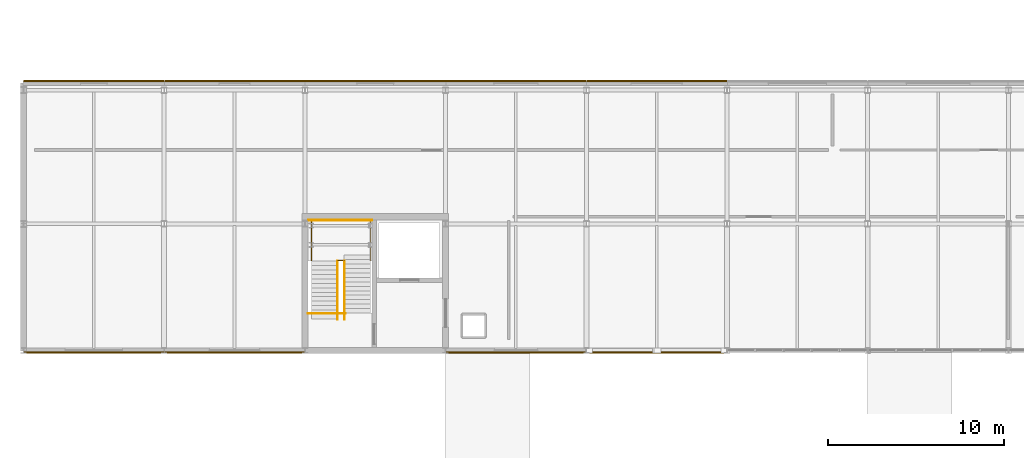
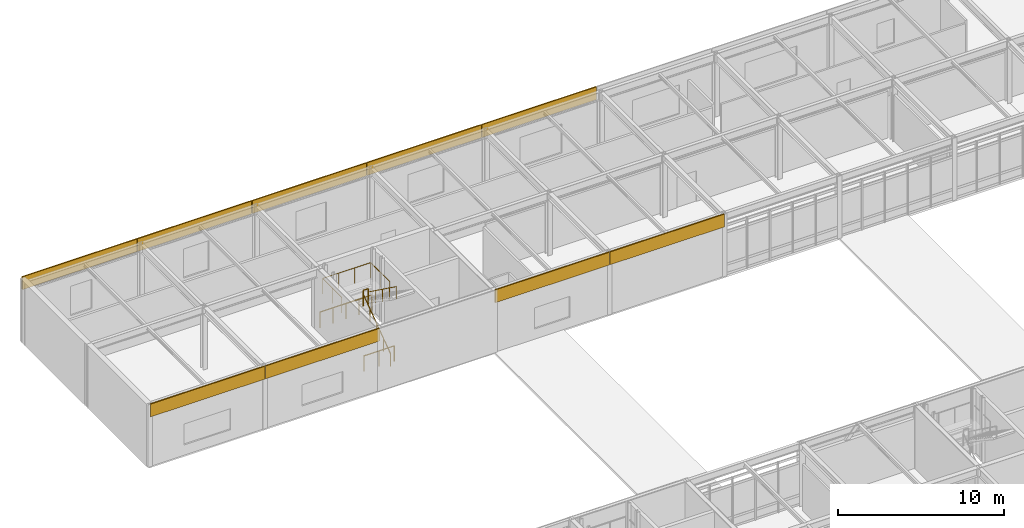
# One storey, part 96 of 100: 9 coverings, 6 railings.
"""IFC4 building model written with IfcOpenShell, lengths in metres."""

from ifc_helpers import new_model, si_unit, direction, frame, origin, origin_2d, place, context, subcontext, project, spatial, rectangle, circle, extrude, material, layer, layer_set, type_object, element, save


model = new_model("IFC4")

# Units and contexts
model_context = context("Model", 3, precision=1e-05, world=origin(), true_north=direction((0.0, 1.0)))
body_context = subcontext(model_context, "Body", "Model", "MODEL_VIEW")
ifc_project = project(units=[si_unit("LENGTHUNIT", "METRE"), si_unit("AREAUNIT", "SQUARE_METRE"), si_unit("VOLUMEUNIT", "CUBIC_METRE"), si_unit("PLANEANGLEUNIT", "RADIAN"), si_unit("MASSUNIT", "GRAM", prefix="KILO")], contexts=[model_context])

# Site, building, storey
site_placement = place(None, origin())
site = spatial("IfcSite", under=ifc_project, at=site_placement, CompositionType="ELEMENT")
building_placement = place(site_placement, origin())
building = spatial("IfcBuilding", under=site, at=building_placement, Name="Zulena Civic Courthouse", CompositionType="ELEMENT")
storey_placement = place(building_placement, frame((0.0, 0.0, 20.39990234375)))
storey = spatial("IfcBuildingStorey", under=building, at=storey_placement, Name="L04", CompositionType="ELEMENT", Elevation=20.39990234375)

# Railings
ifc_material_1 = material(Name="Brushed architectural steel ASTM A36", Category="steel")
railing_type_1 = type_object("IfcRailingType", Name="InteriorGuardrail_1150", PredefinedType="GUARDRAIL", material=ifc_material_1)
railing_1_placement = place(storey_placement, frame((20.199951171875, 53.409912109375, 0.0)))
element("IfcRailing", 1, at=railing_1_placement, inside=storey, type_object=railing_type_1, Name="gr:wellN:K5A:L03", PredefinedType="GUARDRAIL", context=body_context, shape_type="SweptSolid", body=[
    extrude(circle(Radius=0.02392578125, at=origin_2d()), frame((0.00390625, 0.0, 1.1259765625), z_axis=(1.0, 0.0, 0.0), x_axis=(0.0, 1.0, 0.0)), (0.0, 0.0, 1.0), 3.592041015625),
    extrude(circle(Radius=0.02099609375, at=origin_2d()), origin(), (0.0, 0.0, 1.0), 1.097900390625),
    extrude(circle(Radius=0.02099609375, at=origin_2d()), frame((0.89990234375, 0.0, 0.0)), (0.0, 0.0, 1.0), 1.097900390625),
    extrude(circle(Radius=0.02099609375, at=origin_2d()), frame((1.800048828125, 0.0, 0.0)), (0.0, 0.0, 1.0), 1.097900390625),
    extrude(circle(Radius=0.02099609375, at=origin_2d()), frame((2.7001953125, 0.0, 0.0)), (0.0, 0.0, 1.0), 1.097900390625),
    extrude(circle(Radius=0.02099609375, at=origin_2d()), frame((3.60009765625, 0.0, 0.0)), (0.0, 0.0, 1.0), 1.097900390625),
])
railing_2_placement = place(storey_placement, frame((20.179931640625, 48.10009765625, 0.0)))
element("IfcRailing", 2, at=railing_2_placement, inside=storey, type_object=railing_type_1, Name="gr:wells:K5A:L04", PredefinedType="GUARDRAIL", context=body_context, shape_type="SweptSolid", body=[
    extrude(circle(Radius=0.02392578125, at=origin_2d()), frame((0.00390625, 0.0, 1.1259765625), z_axis=(1.0, 0.0, 0.0), x_axis=(0.0, 1.0, 0.0)), (0.0, 0.0, 1.0), 2.112060546875),
    extrude(circle(Radius=0.02099609375, at=origin_2d()), origin(), (0.0, 0.0, 1.0), 1.097900390625),
    extrude(circle(Radius=0.02099609375, at=origin_2d()), frame((1.06005859375, 0.0, 0.0)), (0.0, 0.0, 1.0), 1.097900390625),
    extrude(circle(Radius=0.02099609375, at=origin_2d()), frame((2.1201171875, 0.0, 0.0)), (0.0, 0.0, 1.0), 1.097900390625),
])
railing_3_placement = place(storey_placement, frame((20.3798828125, 51.094482421875, 2.400146484375)))
element("IfcRailing", 3, at=railing_3_placement, inside=storey, type_object=railing_type_1, Name="gr:lnd:K5A:L04", PredefinedType="GUARDRAIL", context=body_context, shape_type="SweptSolid", body=[
    extrude(circle(Radius=0.02392578125, at=origin_2d()), frame((0.0, 0.00390625, 1.1259765625), z_axis=(0.0, 1.0, 0.0), x_axis=(-1.0, 0.0, 0.0)), (0.0, 0.0, 1.0), 2.3173828125),
    extrude(circle(Radius=0.02392578125, at=origin_2d()), frame((0.00390625, 2.325439453125, 1.1259765625), z_axis=(1.0, 0.0, 0.0), x_axis=(0.0, 1.0, 0.0)), (0.0, 0.0, 1.0), 3.33203125),
    extrude(circle(Radius=0.02392578125, at=origin_2d()), frame((3.340087890625, 2.321533203125, 1.1259765625), z_axis=(0.0, -1.0, 0.0), x_axis=(1.0, 0.0, 0.0)), (0.0, 0.0, 1.0), 2.3173828125),
    extrude(circle(Radius=0.02099609375, at=origin_2d()), origin(), (0.0, 0.0, 1.0), 1.097900390625),
    extrude(circle(Radius=0.02099609375, at=origin_2d()), frame((0.0, 1.16259765625, 0.0)), (0.0, 0.0, 1.0), 1.097900390625),
    extrude(circle(Radius=0.02099609375, at=origin_2d()), frame((0.0, 2.325439453125, 0.0)), (0.0, 0.0, 1.0), 1.097900390625),
    extrude(circle(Radius=0.02099609375, at=origin_2d()), frame((1.11328125, 2.325439453125, 0.0)), (0.0, 0.0, 1.0), 1.097900390625),
    extrude(circle(Radius=0.02099609375, at=origin_2d()), frame((2.226806640625, 2.325439453125, 0.0)), (0.0, 0.0, 1.0), 1.097900390625),
    extrude(circle(Radius=0.02099609375, at=origin_2d()), frame((3.340087890625, 2.325439453125, 0.0)), (0.0, 0.0, 1.0), 1.097900390625),
    extrude(circle(Radius=0.02099609375, at=origin_2d()), frame((3.340087890625, 1.16259765625, 0.0)), (0.0, 0.0, 1.0), 1.097900390625),
    extrude(circle(Radius=0.02099609375, at=origin_2d()), frame((3.340087890625, 0.0, 0.0)), (0.0, 0.0, 1.0), 1.097900390625),
])
railing_4_placement = place(storey_placement, frame((21.8798828125, 51.114990234375, 2.400146484375)))
element("IfcRailing", 4, at=railing_4_placement, inside=storey, type_object=railing_type_1, Name="gr:lndslot:K5A:L04", PredefinedType="GUARDRAIL", context=body_context, shape_type="SweptSolid", body=[
    extrude(circle(Radius=0.02392578125, at=origin_2d()), frame((0.00390625, 0.0, 1.1259765625), z_axis=(1.0, 0.0, 0.0), x_axis=(0.0, 1.0, 0.0)), (0.0, 0.0, 1.0), 0.33203125),
    extrude(circle(Radius=0.02099609375, at=origin_2d()), origin(), (0.0, 0.0, 1.0), 1.097900390625),
    extrude(circle(Radius=0.02099609375, at=origin_2d()), frame((0.340087890625, 0.0, 0.0)), (0.0, 0.0, 1.0), 1.097900390625),
])

# Coverings
ifc_material_2 = material(Name="White architectural precast concrete C40/50", Category="concrete")
ifc_layer = layer(ifc_material_2, 0.0849609375)
ifc_layer_set = layer_set([ifc_layer], Name="White architectural precast concrete C40/50")
covering_type = type_object("IfcCoveringType", Name="PrecastSpandrelCladding_85", PredefinedType="CLADDING", material=ifc_layer_set)
for number, where, z_axis, x_axis, name in (
    (5, (8.0, 61.320068359375, 3.66015625), (0.0, 0.0, 1.0), (1.0, 0.0, 0.0), "clad:sp:V5:L04:1:0"),
    (6, (16.0, 61.320068359375, 3.66015625), (0.0, 0.0, 1.0), (1.0, 0.0, 0.0), "clad:sp:V5:L04:1:1"),
    (7, (24.0, 61.320068359375, 3.66015625), (0.0, 0.0, 1.0), (1.0, 0.0, 0.0), "clad:sp:V5:L04:1:2"),
    (8, (32.0, 61.320068359375, 3.66015625), (0.0, 0.0, 1.0), (1.0, 0.0, 0.0), "clad:sp:V5:L04:1:3"),
    (9, (40.0, 61.320068359375, 3.66015625), (0.0, 0.0, 1.0), (1.0, 0.0, 0.0), "clad:sp:V5:L04:1:4"),
    (10, (40.0, 45.8798828125, 3.66015625), (0.0, 0.0, 1.0), (-1.0, 0.0, 0.0), "clad:sp:V5:L04:5:8"),
    (11, (32.0, 45.8798828125, 3.66015625), (0.0, 0.0, 1.0), (-1.0, 0.0, 0.0), "clad:sp:V5:L04:5:9"),
    (12, (16.0, 45.8798828125, 3.66015625), (0.0, 0.0, 1.0), (-1.0, 0.0, 0.0), "clad:sp:V5:L04:5:11"),
    (13, (8.0, 45.8798828125, 3.66015625), (0.0, 0.0, 1.0), (-1.0, 0.0, 0.0), "clad:sp:V5:L04:5:12"),
):
    element("IfcCovering", number, at=place(storey_placement, frame(where, z_axis=z_axis, x_axis=x_axis)), inside=storey, type_object=covering_type, Name=name, PredefinedType="CLADDING", context=body_context, shape_type="SweptSolid", body=[
        extrude(rectangle(XDim=7.9599609375, YDim=0.0849609375, at=origin_2d()), origin(), (0.0, 0.0, 1.0), 0.93994140625),
    ])

# Railings
railing_type_2 = type_object("IfcRailingType", Name="StairHandrail_920", PredefinedType="HANDRAIL", material=ifc_material_1)
railing_5_placement = place(storey_placement, frame((21.85009765625, 47.780029296875, 0.0)))
element("IfcRailing", 14, at=railing_5_placement, inside=storey, type_object=railing_type_2, Name="hr:K5A:L04:1", PredefinedType="HANDRAIL", context=body_context, shape_type="SweptSolid", body=[
    extrude(circle(Radius=0.02392578125, at=origin_2d()), frame((0.0, 0.003173828125, 0.898193359375), z_axis=(0.0, 0.809939189741, 0.586513860809), x_axis=(-1.0, 0.0, 0.0)), (0.0, 0.0, 1.0), 4.084228515625),
    extrude(circle(Radius=0.02099609375, at=origin_2d()), origin(), (0.0, 0.0, 1.0), 0.867919921875),
    extrude(circle(Radius=0.02099609375, at=origin_2d()), frame((0.0, 0.82861328125, 0.60009765625)), (0.0, 0.0, 1.0), 0.867919921875),
    extrude(circle(Radius=0.02099609375, at=origin_2d()), frame((0.0, 1.6572265625, 1.2001953125)), (0.0, 0.0, 1.0), 0.867919921875),
    extrude(circle(Radius=0.02099609375, at=origin_2d()), frame((0.0, 2.48583984375, 1.800048828125)), (0.0, 0.0, 1.0), 0.867919921875),
    extrude(circle(Radius=0.02099609375, at=origin_2d()), frame((0.0, 3.314453125, 2.400146484375)), (0.0, 0.0, 1.0), 0.867919921875),
])
railing_6_placement = place(storey_placement, frame((22.25, 51.094482421875, 2.400146484375)))
element("IfcRailing", 15, at=railing_6_placement, inside=storey, type_object=railing_type_2, Name="hr:K5A:L04:2", PredefinedType="HANDRAIL", context=body_context, shape_type="SweptSolid", body=[
    extrude(circle(Radius=0.02392578125, at=origin_2d()), frame((0.0, -0.003173828125, 0.898193359375), z_axis=(0.0, -0.809967530533, 0.586474721946), x_axis=(1.0, 0.0, 0.0)), (0.0, 0.0, 1.0), 4.083984375),
    extrude(circle(Radius=0.02099609375, at=origin_2d()), origin(), (0.0, 0.0, 1.0), 0.867919921875),
    extrude(circle(Radius=0.02099609375, at=origin_2d()), frame((0.0, -0.82861328125, 0.60009765625)), (0.0, 0.0, 1.0), 0.867919921875),
    extrude(circle(Radius=0.02099609375, at=origin_2d()), frame((0.0, -1.6572265625, 1.199951171875)), (0.0, 0.0, 1.0), 0.867919921875),
    extrude(circle(Radius=0.02099609375, at=origin_2d()), frame((0.0, -2.48583984375, 1.7998046875)), (0.0, 0.0, 1.0), 0.867919921875),
    extrude(circle(Radius=0.02099609375, at=origin_2d()), frame((0.0, -3.314453125, 2.39990234375)), (0.0, 0.0, 1.0), 0.867919921875),
])

save(model, "model.ifc")
